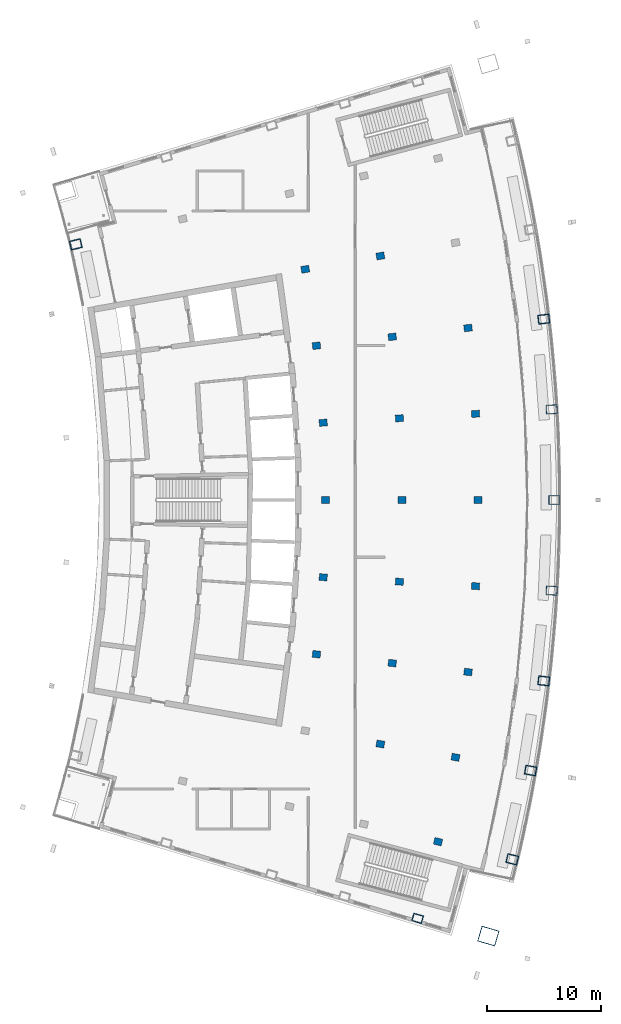
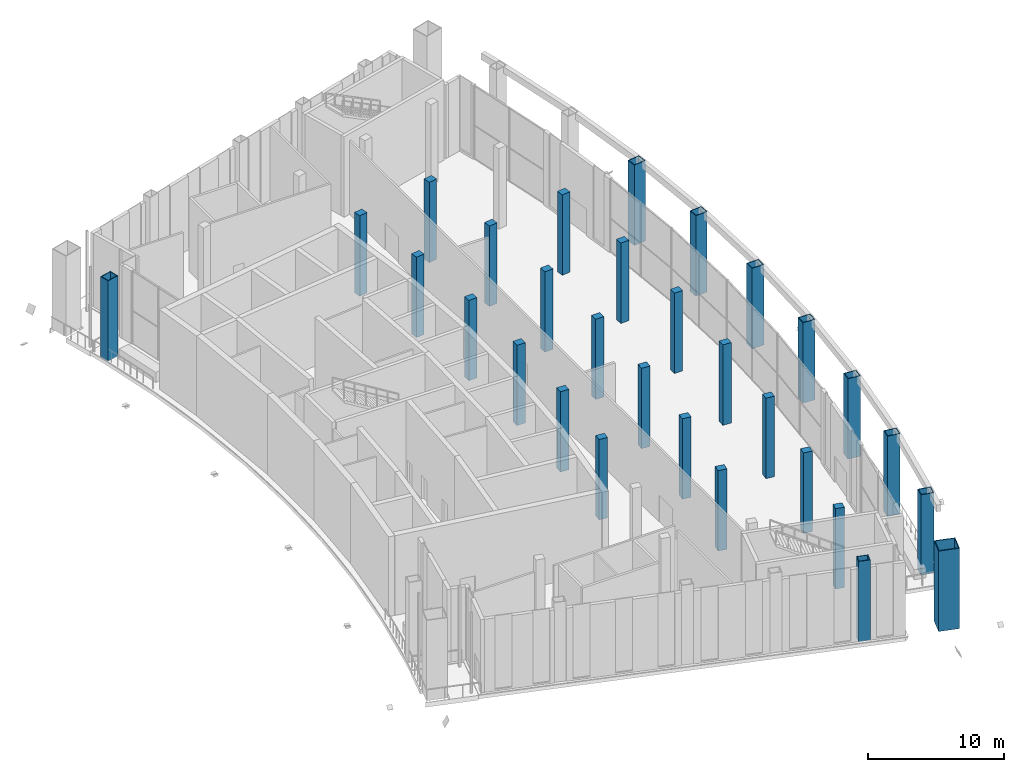
# One storey, part 4 of 25: 30 columns.
"""IFC4 building model written with IfcOpenShell, lengths in metres."""

from ifc_helpers import new_model, si_unit, direction, frame, origin, origin_2d, place, context, subcontext, project, spatial, rectangle, hollow_rectangle, extrude, material, material_profile, profile_set, type_object, element, save


model = new_model("IFC4")

# Units and contexts
model_context = context("Model", 3, precision=1e-05, world=origin(), true_north=direction((0.0, 1.0)))
body_context = subcontext(model_context, "Body", "Model", "MODEL_VIEW")
ifc_project = project(units=[si_unit("LENGTHUNIT", "METRE"), si_unit("AREAUNIT", "SQUARE_METRE"), si_unit("VOLUMEUNIT", "CUBIC_METRE"), si_unit("PLANEANGLEUNIT", "RADIAN"), si_unit("MASSUNIT", "GRAM", prefix="KILO")], contexts=[model_context])

# Site, building, storey
site_placement = place(None, origin())
site = spatial("IfcSite", under=ifc_project, at=site_placement, CompositionType="ELEMENT")
building_placement = place(site_placement, origin())
building = spatial("IfcBuilding", under=site, at=building_placement, Name="Alderwake Tower", CompositionType="ELEMENT")
storey_placement = place(building_placement, frame((0.0, 0.0, 288.800048828125)))
storey = spatial("IfcBuildingStorey", under=building, at=storey_placement, Name="L72", CompositionType="ELEMENT", Elevation=288.800048828125)

# Columns
ifc_material_1 = material(Name="Steel ASTM A572 Grade 50 concrete filled C70/85", Category="concrete")
ifc_material_profile_1 = material_profile(ifc_material_1, hollow_rectangle(XDim=0.699951171875, YDim=0.89990234375, WallThickness=0.050048828125, at=origin_2d()), Name="BOX 900X700X50")
ifc_profile_set_1 = profile_set([ifc_material_profile_1], Name="Steel ASTM A572 Grade 50 concrete filled C70/85")
column_type_1 = type_object("IfcColumnType", Name="End column Z5", PredefinedType="COLUMN", material=ifc_profile_set_1)
column_1_placement = place(storey_placement, frame((43.8505859375, 24.44287109375, 0.0), z_axis=(0.0, 0.0, 1.0), x_axis=(0.283096487049, 0.95909143413, 0.0)))
element("IfcColumn", 1, at=column_1_placement, inside=storey, type_object=column_type_1, Name="Column R02-C4", PredefinedType="COLUMN", context=body_context, shape_type="SweptSolid", body=[
    extrude(hollow_rectangle(XDim=0.699951171875, YDim=0.89990234375, WallThickness=0.050048828125, at=origin_2d()), origin(), (0.0, 0.0, 1.0), 7.199951171875),
])
ifc_material_2 = material(Name="Concrete C70/85", Category="concrete")
ifc_material_profile_2 = material_profile(ifc_material_2, rectangle(XDim=0.60009765625, YDim=0.699951171875, at=origin_2d()), Name="RC 700X600")
ifc_profile_set_2 = profile_set([ifc_material_profile_2], Name="Concrete C70/85")
column_type_2 = type_object("IfcColumnType", Name="Interior column Z5", PredefinedType="COLUMN", material=ifc_profile_set_2)
for number, where, z_axis, x_axis, name in (
    (2, (45.6337890625, 31.1416015625, 0.0), (0.0, 0.0, 1.0), (0.231221547198, 0.972901123502, 0.0), "Column R03-C4"),
    (3, (40.59619140625, 39.677490234375, 0.0), (0.0, 0.0, 1.0), (0.174107082075, 0.984726725529, 0.0), "Column R04-C3"),
    (4, (47.160888671875, 38.516845703125, 0.0), (0.0, 0.0, 1.0), (0.174108800747, 0.984726421654, 0.0), "Column R04-C4"),
    (5, (35.0126953125, 47.5205078125, 0.0), (0.0, 0.0, 1.0), (0.116402054316, 0.993202175668, 0.0), "Column R05-C2"),
    (6, (41.63427734375, 46.74462890625, 0.0), (0.0, 0.0, 1.0), (0.116402054316, 0.993202175668, 0.0), "Column R05-C3"),
    (7, (48.255615234375, 45.968505859375, 0.0), (0.0, 0.0, 1.0), (0.116402054316, 0.993202175668, 0.0), "Column R05-C4"),
    (8, (35.60302734375, 54.248779296875, 0.0), (0.0, 0.0, 1.0), (0.058301061284, 0.998299046505, 0.0), "Column R06-C2"),
    (9, (42.25830078125, 53.860107421875, 0.0), (0.0, 0.0, 1.0), (0.058299318924, 0.998299148258, 0.0), "Column R06-C3"),
    (10, (48.913818359375, 53.471435546875, 0.0), (0.0, 0.0, 1.0), (0.058301061284, 0.998299046505, 0.0), "Column R06-C4"),
    (11, (35.800048828125, 61.0, 0.0), (0.0, 0.0, 1.0), (0.0, 1.0, 0.0), "Column R07-C2"),
    (12, (42.466796875, 61.0, 0.0), (0.0, 0.0, 1.0), (0.0, 1.0, 0.0), "Column R07-C3"),
    (13, (49.13330078125, 61.0, 0.0), (0.0, 0.0, 1.0), (0.0, 1.0, 0.0), "Column R07-C4"),
    (14, (35.60302734375, 67.751220703125, 0.0), (0.0, 0.0, 1.0), (-0.058301061284, 0.998299046505, 0.0), "Column R08-C2"),
    (15, (42.25830078125, 68.139892578125, 0.0), (0.0, 0.0, 1.0), (-0.058299318924, 0.998299148258, 0.0), "Column R08-C3"),
    (16, (48.913818359375, 68.528564453125, 0.0), (0.0, 0.0, 1.0), (-0.058301061284, 0.998299046505, 0.0), "Column R08-C4"),
    (17, (35.0126953125, 74.4794921875, 0.0), (0.0, 0.0, 1.0), (-0.116402054316, 0.993202175668, 0.0), "Column R09-C2"),
    (18, (41.63427734375, 75.25537109375, 0.0), (0.0, 0.0, 1.0), (-0.116402054316, 0.993202175668, 0.0), "Column R09-C3"),
    (19, (48.255615234375, 76.031494140625, 0.0), (0.0, 0.0, 1.0), (-0.116402054316, 0.993202175668, 0.0), "Column R09-C4"),
    (20, (34.03125, 81.16162109375, 0.0), (0.0, 0.0, 1.0), (-0.174108800747, 0.984726421654, 0.0), "Column R10-C2"),
    (21, (40.59619140625, 82.322509765625, 0.0), (0.0, 0.0, 1.0), (-0.174107082075, 0.984726725529, 0.0), "Column R10-C3"),
):
    element("IfcColumn", number, at=place(storey_placement, frame(where, z_axis=z_axis, x_axis=x_axis)), inside=storey, type_object=column_type_2, Name=name, PredefinedType="COLUMN", context=body_context, shape_type="SweptSolid", body=[
        extrude(rectangle(XDim=0.60009765625, YDim=0.699951171875, at=origin_2d()), origin(), (0.0, 0.0, 1.0), 7.199951171875),
    ])
ifc_material_3 = material(Name="Steel ASTM A572 Grade 50 concrete filled C70/85", Category="concrete")
ifc_material_profile_3 = material_profile(ifc_material_3, hollow_rectangle(XDim=1.39990234375, YDim=1.60009765625, WallThickness=0.070068359375, at=origin_2d()), Name="BOX 1600X1400X70")
ifc_profile_set_3 = profile_set([ifc_material_profile_3], Name="Steel ASTM A572 Grade 50 concrete filled C70/85")
column_type_3 = type_object("IfcColumnType", Name="Mega column Z5", PredefinedType="COLUMN", material=ifc_profile_set_3)
column_2_placement = place(storey_placement, frame((50.03271484375, 22.898193359375, 0.0), z_axis=(0.0, 0.0, 1.0), x_axis=(0.281194346997, 0.959650842347, 0.0)))
element("IfcColumn", 22, at=column_2_placement, inside=storey, type_object=column_type_3, Name="Column R02-C5", PredefinedType="COLUMN", context=body_context, shape_type="SweptSolid", body=[
    extrude(hollow_rectangle(XDim=1.39990234375, YDim=1.60009765625, WallThickness=0.070068359375, at=origin_2d()), origin(), (0.0, 0.0, 1.0), 7.199951171875),
])
ifc_material_4 = material(Name="Steel ASTM A572 Grade 50 concrete filled C70/85", Category="concrete")
ifc_material_profile_4 = material_profile(ifc_material_4, hollow_rectangle(XDim=0.800048828125, YDim=1.0, WallThickness=0.054931640625, at=origin_2d()), Name="BOX 1000X800X55")
ifc_profile_set_4 = profile_set([ifc_material_profile_4], Name="Steel ASTM A572 Grade 50 concrete filled C70/85")
column_type_4 = type_object("IfcColumnType", Name="Perimeter column Z5", PredefinedType="COLUMN", material=ifc_profile_set_4)
for number, where, z_axis, x_axis, name in (
    (23, (52.1201171875, 29.60009765625, 0.0), (0.0, 0.0, 1.0), (0.231221547198, 0.972901123502, 0.0), "Column R03-C5"),
    (24, (53.725830078125, 37.356201171875, 0.0), (0.0, 0.0, 1.0), (0.174108800747, 0.984726421654, 0.0), "Column R04-C5"),
    (25, (54.876953125, 45.192626953125, 0.0), (0.0, 0.0, 1.0), (0.116402054316, 0.993202175668, 0.0), "Column R05-C5"),
    (26, (55.569091796875, 53.082763671875, 0.0), (0.0, 0.0, 1.0), (0.058301061284, 0.998299046505, 0.0), "Column R06-C5"),
    (27, (55.800048828125, 61.0, 0.0), (0.0, 0.0, 1.0), (0.0, 1.0, 0.0), "Column R07-C5"),
    (28, (55.569091796875, 68.917236328125, 0.0), (0.0, 0.0, 1.0), (-0.058301061284, 0.998299046505, 0.0), "Column R08-C5"),
    (29, (54.876953125, 76.807373046875, 0.0), (0.0, 0.0, 1.0), (-0.116402054316, 0.993202175668, 0.0), "Column R09-C5"),
    (30, (13.982177734375, 83.3359375, 0.0), (0.0, 0.0, 1.0), (-0.231221547198, 0.972901123502, 0.0), "Column R11-C0"),
):
    element("IfcColumn", number, at=place(storey_placement, frame(where, z_axis=z_axis, x_axis=x_axis)), inside=storey, type_object=column_type_4, Name=name, PredefinedType="COLUMN", context=body_context, shape_type="SweptSolid", body=[
        extrude(hollow_rectangle(XDim=0.800048828125, YDim=1.0, WallThickness=0.054931640625, at=origin_2d()), origin(), (0.0, 0.0, 1.0), 7.199951171875),
    ])

save(model, "model.ifc")
